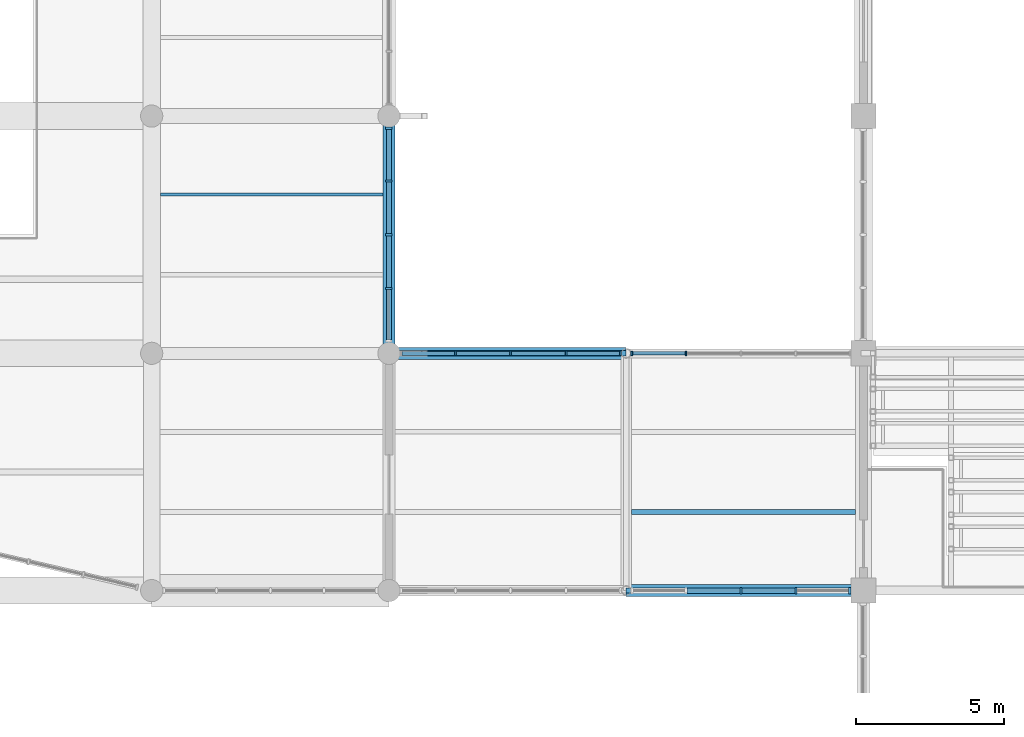
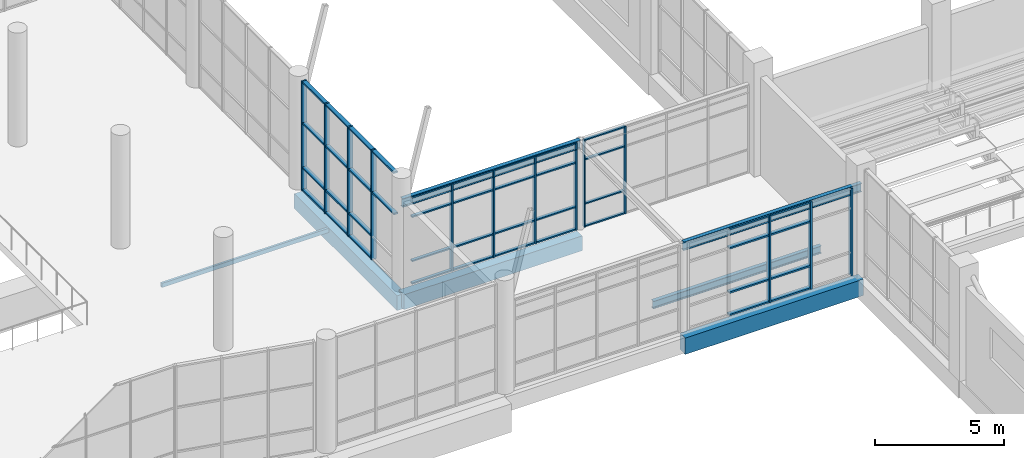
# One storey, part 28 of 122: 55 members, 7 beams, 4 elements without a shape of their own.
"""IFC4 building model written with IfcOpenShell, lengths in metres."""

from ifc_helpers import new_model, si_unit, direction, frame, origin, origin_2d, place, context, subcontext, project, spatial, rectangle, hollow_rectangle, i_section, extrude, material, material_profile, profile_set, type_object, element, aggregate, save


model = new_model("IFC4")

# Units and contexts
model_context = context("Model", 3, precision=1e-05, world=origin(), true_north=direction((0.0, 1.0)))
body_context = subcontext(model_context, "Body", "Model", "MODEL_VIEW")
ifc_project = project(units=[si_unit("LENGTHUNIT", "METRE"), si_unit("AREAUNIT", "SQUARE_METRE"), si_unit("VOLUMEUNIT", "CUBIC_METRE"), si_unit("PLANEANGLEUNIT", "RADIAN"), si_unit("MASSUNIT", "GRAM", prefix="KILO")], contexts=[model_context])

# Site, building, storey
site_placement = place(None, origin())
site = spatial("IfcSite", under=ifc_project, at=site_placement, CompositionType="ELEMENT")
building_placement = place(site_placement, origin())
building = spatial("IfcBuilding", under=site, at=building_placement, Name="Tenunan Teduh Sports Hall", CompositionType="ELEMENT")
storey_placement = place(building_placement, frame((0.0, 0.0, 5.39990234375)))
storey = spatial("IfcBuildingStorey", under=building, at=storey_placement, Name="L01", CompositionType="ELEMENT", Elevation=5.39990234375)

# Beams
ifc_material_1 = material(Name="Concrete C40/50", Category="concrete")
ifc_material_profile_1 = material_profile(ifc_material_1, rectangle(XDim=0.39990234375, YDim=0.699951171875, at=origin_2d()), Name="RCB 400x700")
ifc_profile_set_1 = profile_set([ifc_material_profile_1], Name="Concrete C40/50")
beam_type_1 = type_object("IfcBeamType", Name="BM-RC-400x700", PredefinedType="BEAM", material=ifc_profile_set_1)
for number, where, z_axis, x_axis, name in (
    (1, (106.0, 46.0, -0.60986328125), (1.0, 0.0, 0.0), (0.0, 1.0, 0.0), "BM-B-08-L01-1080"),
    (2, (106.0, 46.0, -0.7099609375), (0.0, 1.0, 0.0), (-1.0, 0.0, 0.0), "BM-B-08-L01-1253"),
):
    element("IfcBeam", number, at=place(storey_placement, frame(where, z_axis=z_axis, x_axis=x_axis)), inside=storey, type_object=beam_type_1, Name=name, PredefinedType="BEAM", context=body_context, shape_type="SweptSolid", body=[
        extrude(rectangle(XDim=0.39990234375, YDim=0.699951171875, at=origin_2d()), origin(), (0.0, 0.0, 1.0), 8.0),
    ])
ifc_material_2 = material(Name="Concrete C40/50", Category="concrete")
ifc_material_profile_2 = material_profile(ifc_material_2, rectangle(XDim=0.39990234375, YDim=0.780029296875, at=origin_2d()), Name="TB 400x780")
ifc_profile_set_2 = profile_set([ifc_material_profile_2], Name="Concrete C40/50")
beam_type_2 = type_object("IfcBeamType", Name="BM-TB-400x780", PredefinedType="T_BEAM", material=ifc_profile_set_2)
beam_1_placement = place(storey_placement, frame((114.0, 38.0, -0.64990234375), z_axis=(1.0, 0.0, 0.0), x_axis=(0.0, 1.0, 0.0)))
element("IfcBeam", 3, at=beam_1_placement, inside=storey, type_object=beam_type_2, Name="BM-TB-02-L01-1063", PredefinedType="T_BEAM", context=body_context, shape_type="SweptSolid", body=[
    extrude(rectangle(XDim=0.39990234375, YDim=0.780029296875, at=origin_2d()), origin(), (0.0, 0.0, 1.0), 8.0),
])

# Curtain wall, members
ifc_material_3 = material(Name="Anodised aluminium", Category="aluminium")
curtain_wall_type_1 = type_object("IfcCurtainWallType", Name="CW-UNIT-2", PredefinedType="NOTDEFINED", material=ifc_material_3)
curtain_wall_1_placement = place(storey_placement, origin())
curtain_wall_1 = element("IfcCurtainWall", 4, at=curtain_wall_1_placement, inside=storey, type_object=curtain_wall_type_1, Name="CW-CWM-150-L01-183", PredefinedType="NOTDEFINED")
ifc_material_4 = material(Name="Anodised aluminium", Category="aluminium")
ifc_material_profile_3 = material_profile(ifc_material_4, rectangle(XDim=0.06005859375, YDim=0.14990234375, at=origin_2d()), Name="CWM 60x150")
ifc_profile_set_3 = profile_set([ifc_material_profile_3], Name="Anodised aluminium")
member_type_1 = type_object("IfcMemberType", Name="CWM-150", PredefinedType="MULLION", material=ifc_profile_set_3)
member_1_placement = place(storey_placement, frame((114.19189453125, 46.0, 0.0), z_axis=(0.0, 0.0, 1.0), x_axis=(1.0, 0.0, 0.0)))
member_1 = element("IfcMember", 5, at=member_1_placement, type_object=member_type_1, Name="CW-02 mullion 1", PredefinedType="MULLION", context=body_context, shape_type="SweptSolid", body=[
    extrude(rectangle(XDim=0.06005859375, YDim=0.14990234375, at=origin_2d()), origin(), (0.0, 0.0, 1.0), 4.150146484375),
])
member_2_placement = place(storey_placement, frame((116.01513671875, 46.0, 0.0), z_axis=(0.0, 0.0, 1.0), x_axis=(1.0, 0.0, 0.0)))
member_2 = element("IfcMember", 6, at=member_2_placement, type_object=member_type_1, Name="CW-02 mullion 2", PredefinedType="MULLION", context=body_context, shape_type="SweptSolid", body=[
    extrude(rectangle(XDim=0.06005859375, YDim=0.14990234375, at=origin_2d()), origin(), (0.0, 0.0, 1.0), 4.150146484375),
])

curtain_wall_2_placement = place(storey_placement, origin())
curtain_wall_2 = element("IfcCurtainWall", 7, at=curtain_wall_2_placement, inside=storey, type_object=curtain_wall_type_1, Name="CW-CWM-175-L01-182", PredefinedType="NOTDEFINED")
ifc_material_5 = material(Name="Anodised aluminium", Category="aluminium")
ifc_material_profile_4 = material_profile(ifc_material_5, rectangle(XDim=0.06494140625, YDim=0.175048828125, at=origin_2d()), Name="CWM 65x175")
ifc_profile_set_4 = profile_set([ifc_material_profile_4], Name="Anodised aluminium")
member_type_2 = type_object("IfcMemberType", Name="CWM-175", PredefinedType="MULLION", material=ifc_profile_set_4)
member_3_placement = place(storey_placement, frame((108.24072265625, 46.0, 0.0), z_axis=(0.0, 0.0, 1.0), x_axis=(1.0, 0.0, 0.0)))
member_3 = element("IfcMember", 8, at=member_3_placement, type_object=member_type_2, Name="CW-02 mullion 2", PredefinedType="MULLION", context=body_context, shape_type="SweptSolid", body=[
    extrude(rectangle(XDim=0.06494140625, YDim=0.175048828125, at=origin_2d()), origin(), (0.0, 0.0, 1.0), 4.150146484375),
])
member_4_placement = place(storey_placement, frame((110.1064453125, 46.0, 0.0), z_axis=(0.0, 0.0, 1.0), x_axis=(1.0, 0.0, 0.0)))
member_4 = element("IfcMember", 9, at=member_4_placement, type_object=member_type_2, Name="CW-02 mullion 3", PredefinedType="MULLION", context=body_context, shape_type="SweptSolid", body=[
    extrude(rectangle(XDim=0.06494140625, YDim=0.175048828125, at=origin_2d()), origin(), (0.0, 0.0, 1.0), 4.150146484375),
])
member_5_placement = place(storey_placement, frame((111.97216796875, 46.0, 0.0), z_axis=(0.0, 0.0, 1.0), x_axis=(1.0, 0.0, 0.0)))
member_5 = element("IfcMember", 10, at=member_5_placement, type_object=member_type_2, Name="CW-02 mullion 4", PredefinedType="MULLION", context=body_context, shape_type="SweptSolid", body=[
    extrude(rectangle(XDim=0.06494140625, YDim=0.175048828125, at=origin_2d()), origin(), (0.0, 0.0, 1.0), 4.150146484375),
])
member_6_placement = place(storey_placement, frame((113.805419921875, 46.0, 0.0), z_axis=(0.0, 0.0, 1.0), x_axis=(1.0, 0.0, 0.0)))
member_6 = element("IfcMember", 11, at=member_6_placement, type_object=member_type_2, Name="CW-02 mullion 5", PredefinedType="MULLION", context=body_context, shape_type="SweptSolid", body=[
    extrude(rectangle(XDim=0.06494140625, YDim=0.175048828125, at=origin_2d()), origin(), (0.0, 0.0, 1.0), 4.150146484375),
])

ifc_material_6 = material(Name="Anodised aluminium", Category="aluminium")
curtain_wall_type_2 = type_object("IfcCurtainWallType", Name="CW-UNIT-1", PredefinedType="NOTDEFINED", material=ifc_material_6)
curtain_wall_3_placement = place(storey_placement, origin())
curtain_wall_3 = element("IfcCurtainWall", 12, at=curtain_wall_3_placement, inside=storey, type_object=curtain_wall_type_2, Name="CW-CWM-220-L01-173", PredefinedType="NOTDEFINED")
ifc_material_7 = material(Name="Anodised aluminium", Category="aluminium")
ifc_material_profile_5 = material_profile(ifc_material_7, rectangle(XDim=0.074951171875, YDim=0.219970703125, at=origin_2d()), Name="CWM 75x220")
ifc_profile_set_5 = profile_set([ifc_material_profile_5], Name="Anodised aluminium")
member_type_3 = type_object("IfcMemberType", Name="CWM-220", PredefinedType="MULLION", material=ifc_profile_set_5)
member_7_placement = place(storey_placement, frame((106.0, 48.1875, 0.0), z_axis=(0.0, 0.0, 1.0), x_axis=(0.0, 1.0, 0.0)))
member_7 = element("IfcMember", 13, at=member_7_placement, type_object=member_type_3, Name="CW-01 mullion 2", PredefinedType="MULLION", context=body_context, shape_type="SweptSolid", body=[
    extrude(rectangle(XDim=0.074951171875, YDim=0.219970703125, at=origin_2d()), origin(), (0.0, 0.0, 1.0), 5.2001953125),
])
member_8_placement = place(storey_placement, frame((106.0, 50.0, 0.0), z_axis=(0.0, 0.0, 1.0), x_axis=(0.0, 1.0, 0.0)))
member_8 = element("IfcMember", 14, at=member_8_placement, type_object=member_type_3, Name="CW-01 mullion 3", PredefinedType="MULLION", context=body_context, shape_type="SweptSolid", body=[
    extrude(rectangle(XDim=0.074951171875, YDim=0.219970703125, at=origin_2d()), origin(), (0.0, 0.0, 1.0), 5.2001953125),
])
member_9_placement = place(storey_placement, frame((106.0, 51.8125, 0.0), z_axis=(0.0, 0.0, 1.0), x_axis=(0.0, 1.0, 0.0)))
member_9 = element("IfcMember", 15, at=member_9_placement, type_object=member_type_3, Name="CW-01 mullion 4", PredefinedType="MULLION", context=body_context, shape_type="SweptSolid", body=[
    extrude(rectangle(XDim=0.074951171875, YDim=0.219970703125, at=origin_2d()), origin(), (0.0, 0.0, 1.0), 5.2001953125),
])
member_10_placement = place(storey_placement, frame((106.0, 53.58740234375, 0.0), z_axis=(0.0, 0.0, 1.0), x_axis=(0.0, 1.0, 0.0)))
member_10 = element("IfcMember", 16, at=member_10_placement, type_object=member_type_3, Name="CW-01 mullion 5", PredefinedType="MULLION", context=body_context, shape_type="SweptSolid", body=[
    extrude(rectangle(XDim=0.074951171875, YDim=0.219970703125, at=origin_2d()), origin(), (0.0, 0.0, 1.0), 5.2001953125),
])

curtain_wall_4_placement = place(storey_placement, origin())
curtain_wall_4 = element("IfcCurtainWall", 17, at=curtain_wall_4_placement, inside=storey, type_object=curtain_wall_type_1, Name="CW-CWM-220-L01-181", PredefinedType="NOTDEFINED")
member_11_placement = place(storey_placement, frame((117.868408203125, 38.0, 0.0), z_axis=(0.0, 0.0, 1.0), x_axis=(1.0, 0.0, 0.0)))
member_11 = element("IfcMember", 18, at=member_11_placement, type_object=member_type_3, Name="CW-02 mullion 3", PredefinedType="MULLION", context=body_context, shape_type="SweptSolid", body=[
    extrude(rectangle(XDim=0.074951171875, YDim=0.219970703125, at=origin_2d()), origin(), (0.0, 0.0, 1.0), 4.150146484375),
])
member_12_placement = place(storey_placement, frame((119.7216796875, 38.0, 0.0), z_axis=(0.0, 0.0, 1.0), x_axis=(1.0, 0.0, 0.0)))
member_12 = element("IfcMember", 19, at=member_12_placement, type_object=member_type_3, Name="CW-02 mullion 4", PredefinedType="MULLION", context=body_context, shape_type="SweptSolid", body=[
    extrude(rectangle(XDim=0.074951171875, YDim=0.219970703125, at=origin_2d()), origin(), (0.0, 0.0, 1.0), 4.150146484375),
])
member_13_placement = place(storey_placement, frame((121.53759765625, 38.0, 0.0), z_axis=(0.0, 0.0, 1.0), x_axis=(1.0, 0.0, 0.0)))
member_13 = element("IfcMember", 20, at=member_13_placement, type_object=member_type_3, Name="CW-02 mullion 5", PredefinedType="MULLION", context=body_context, shape_type="SweptSolid", body=[
    extrude(rectangle(XDim=0.074951171875, YDim=0.219970703125, at=origin_2d()), origin(), (0.0, 0.0, 1.0), 4.150146484375),
])

# Member
ifc_material_8 = material(Name="Anodised aluminium", Category="aluminium")
ifc_material_profile_6 = material_profile(ifc_material_8, rectangle(XDim=0.06005859375, YDim=0.1201171875, at=origin_2d()), Name="CWT 60x120")
ifc_profile_set_6 = profile_set([ifc_material_profile_6], Name="Anodised aluminium")
member_type_4 = type_object("IfcMemberType", Name="CWT-125", PredefinedType="USERDEFINED", material=ifc_profile_set_6)
member_14_placement = place(storey_placement, frame((114.221923828125, 46.0, 0.030029296875), z_axis=(1.0, 0.0, 0.0), x_axis=(0.0, 0.0, 1.0)))
member_14 = element("IfcMember", 21, at=member_14_placement, type_object=member_type_4, Name="CW-02 transom 1.1", ObjectType="TRANSOM", PredefinedType="USERDEFINED", context=body_context, shape_type="SweptSolid", body=[
    extrude(rectangle(XDim=0.06005859375, YDim=0.1201171875, at=origin_2d()), origin(), (0.0, 0.0, 1.0), 1.763427734375),
])

member_15_placement = place(storey_placement, frame((114.221923828125, 46.0, 1.10009765625), z_axis=(1.0, 0.0, 0.0), x_axis=(0.0, 0.0, 1.0)))
member_15 = element("IfcMember", 22, at=member_15_placement, type_object=member_type_4, Name="CW-02 transom 1.2", ObjectType="TRANSOM", PredefinedType="USERDEFINED", context=body_context, shape_type="SweptSolid", body=[
    extrude(rectangle(XDim=0.06005859375, YDim=0.1201171875, at=origin_2d()), origin(), (0.0, 0.0, 1.0), 1.763427734375),
])

member_16_placement = place(storey_placement, frame((114.221923828125, 46.0, 3.2001953125), z_axis=(1.0, 0.0, 0.0), x_axis=(0.0, 0.0, 1.0)))
member_16 = element("IfcMember", 23, at=member_16_placement, type_object=member_type_4, Name="CW-02 transom 1.3", ObjectType="TRANSOM", PredefinedType="USERDEFINED", context=body_context, shape_type="SweptSolid", body=[
    extrude(rectangle(XDim=0.06005859375, YDim=0.1201171875, at=origin_2d()), origin(), (0.0, 0.0, 1.0), 1.763427734375),
])

member_17_placement = place(storey_placement, frame((114.221923828125, 46.0, 4.1201171875), z_axis=(1.0, 0.0, 0.0), x_axis=(0.0, 0.0, 1.0)))
member_17 = element("IfcMember", 24, at=member_17_placement, type_object=member_type_4, Name="CW-02 transom 1.4", ObjectType="TRANSOM", PredefinedType="USERDEFINED", context=body_context, shape_type="SweptSolid", body=[
    extrude(rectangle(XDim=0.06005859375, YDim=0.1201171875, at=origin_2d()), origin(), (0.0, 0.0, 1.0), 1.763427734375),
])

aggregate(curtain_wall_1, [member_1, member_2, member_14, member_15, member_16, member_17])

ifc_material_9 = material(Name="Anodised aluminium", Category="aluminium")
ifc_material_profile_7 = material_profile(ifc_material_9, rectangle(XDim=0.06494140625, YDim=0.139892578125, at=origin_2d()), Name="CWT 65x140")
ifc_profile_set_7 = profile_set([ifc_material_profile_7], Name="Anodised aluminium")
member_type_5 = type_object("IfcMemberType", Name="CWT-150", PredefinedType="USERDEFINED", material=ifc_profile_set_7)
member_18_placement = place(storey_placement, frame((106.43994140625, 46.0, 0.03271484375), z_axis=(1.0, 0.0, 0.0), x_axis=(0.0, 0.0, 1.0)))
member_18 = element("IfcMember", 25, at=member_18_placement, type_object=member_type_5, Name="CW-02 transom 1.1", ObjectType="TRANSOM", PredefinedType="USERDEFINED", context=body_context, shape_type="SweptSolid", body=[
    extrude(rectangle(XDim=0.06494140625, YDim=0.139892578125, at=origin_2d()), origin(), (0.0, 0.0, 1.0), 1.768310546875),
])

member_19_placement = place(storey_placement, frame((106.43994140625, 46.0, 1.10009765625), z_axis=(1.0, 0.0, 0.0), x_axis=(0.0, 0.0, 1.0)))
member_19 = element("IfcMember", 26, at=member_19_placement, type_object=member_type_5, Name="CW-02 transom 1.2", ObjectType="TRANSOM", PredefinedType="USERDEFINED", context=body_context, shape_type="SweptSolid", body=[
    extrude(rectangle(XDim=0.06494140625, YDim=0.139892578125, at=origin_2d()), origin(), (0.0, 0.0, 1.0), 1.768310546875),
])

member_20_placement = place(storey_placement, frame((106.43994140625, 46.0, 3.2001953125), z_axis=(1.0, 0.0, 0.0), x_axis=(0.0, 0.0, 1.0)))
member_20 = element("IfcMember", 27, at=member_20_placement, type_object=member_type_5, Name="CW-02 transom 1.3", ObjectType="TRANSOM", PredefinedType="USERDEFINED", context=body_context, shape_type="SweptSolid", body=[
    extrude(rectangle(XDim=0.06494140625, YDim=0.139892578125, at=origin_2d()), origin(), (0.0, 0.0, 1.0), 1.768310546875),
])

member_21_placement = place(storey_placement, frame((106.43994140625, 46.0, 4.11767578125), z_axis=(1.0, 0.0, 0.0), x_axis=(0.0, 0.0, 1.0)))
member_21 = element("IfcMember", 28, at=member_21_placement, type_object=member_type_5, Name="CW-02 transom 1.4", ObjectType="TRANSOM", PredefinedType="USERDEFINED", context=body_context, shape_type="SweptSolid", body=[
    extrude(rectangle(XDim=0.06494140625, YDim=0.139892578125, at=origin_2d()), origin(), (0.0, 0.0, 1.0), 1.768310546875),
])

member_22_placement = place(storey_placement, frame((108.273193359375, 46.0, 0.03271484375), z_axis=(1.0, 0.0, 0.0), x_axis=(0.0, 0.0, 1.0)))
member_22 = element("IfcMember", 29, at=member_22_placement, type_object=member_type_5, Name="CW-02 transom 2.1", ObjectType="TRANSOM", PredefinedType="USERDEFINED", context=body_context, shape_type="SweptSolid", body=[
    extrude(rectangle(XDim=0.06494140625, YDim=0.139892578125, at=origin_2d()), origin(), (0.0, 0.0, 1.0), 1.80078125),
])

member_23_placement = place(storey_placement, frame((108.273193359375, 46.0, 1.10009765625), z_axis=(1.0, 0.0, 0.0), x_axis=(0.0, 0.0, 1.0)))
member_23 = element("IfcMember", 30, at=member_23_placement, type_object=member_type_5, Name="CW-02 transom 2.2", ObjectType="TRANSOM", PredefinedType="USERDEFINED", context=body_context, shape_type="SweptSolid", body=[
    extrude(rectangle(XDim=0.06494140625, YDim=0.139892578125, at=origin_2d()), origin(), (0.0, 0.0, 1.0), 1.80078125),
])

member_24_placement = place(storey_placement, frame((108.273193359375, 46.0, 3.2001953125), z_axis=(1.0, 0.0, 0.0), x_axis=(0.0, 0.0, 1.0)))
member_24 = element("IfcMember", 31, at=member_24_placement, type_object=member_type_5, Name="CW-02 transom 2.3", ObjectType="TRANSOM", PredefinedType="USERDEFINED", context=body_context, shape_type="SweptSolid", body=[
    extrude(rectangle(XDim=0.06494140625, YDim=0.139892578125, at=origin_2d()), origin(), (0.0, 0.0, 1.0), 1.80078125),
])

member_25_placement = place(storey_placement, frame((108.273193359375, 46.0, 4.11767578125), z_axis=(1.0, 0.0, 0.0), x_axis=(0.0, 0.0, 1.0)))
member_25 = element("IfcMember", 32, at=member_25_placement, type_object=member_type_5, Name="CW-02 transom 2.4", ObjectType="TRANSOM", PredefinedType="USERDEFINED", context=body_context, shape_type="SweptSolid", body=[
    extrude(rectangle(XDim=0.06494140625, YDim=0.139892578125, at=origin_2d()), origin(), (0.0, 0.0, 1.0), 1.80078125),
])

member_26_placement = place(storey_placement, frame((110.138916015625, 46.0, 0.03271484375), z_axis=(1.0, 0.0, 0.0), x_axis=(0.0, 0.0, 1.0)))
member_26 = element("IfcMember", 33, at=member_26_placement, type_object=member_type_5, Name="CW-02 transom 3.1", ObjectType="TRANSOM", PredefinedType="USERDEFINED", context=body_context, shape_type="SweptSolid", body=[
    extrude(rectangle(XDim=0.06494140625, YDim=0.139892578125, at=origin_2d()), origin(), (0.0, 0.0, 1.0), 1.80078125),
])

member_27_placement = place(storey_placement, frame((110.138916015625, 46.0, 1.10009765625), z_axis=(1.0, 0.0, 0.0), x_axis=(0.0, 0.0, 1.0)))
member_27 = element("IfcMember", 34, at=member_27_placement, type_object=member_type_5, Name="CW-02 transom 3.2", ObjectType="TRANSOM", PredefinedType="USERDEFINED", context=body_context, shape_type="SweptSolid", body=[
    extrude(rectangle(XDim=0.06494140625, YDim=0.139892578125, at=origin_2d()), origin(), (0.0, 0.0, 1.0), 1.80078125),
])

member_28_placement = place(storey_placement, frame((110.138916015625, 46.0, 3.2001953125), z_axis=(1.0, 0.0, 0.0), x_axis=(0.0, 0.0, 1.0)))
member_28 = element("IfcMember", 35, at=member_28_placement, type_object=member_type_5, Name="CW-02 transom 3.3", ObjectType="TRANSOM", PredefinedType="USERDEFINED", context=body_context, shape_type="SweptSolid", body=[
    extrude(rectangle(XDim=0.06494140625, YDim=0.139892578125, at=origin_2d()), origin(), (0.0, 0.0, 1.0), 1.80078125),
])

member_29_placement = place(storey_placement, frame((110.138916015625, 46.0, 4.11767578125), z_axis=(1.0, 0.0, 0.0), x_axis=(0.0, 0.0, 1.0)))
member_29 = element("IfcMember", 36, at=member_29_placement, type_object=member_type_5, Name="CW-02 transom 3.4", ObjectType="TRANSOM", PredefinedType="USERDEFINED", context=body_context, shape_type="SweptSolid", body=[
    extrude(rectangle(XDim=0.06494140625, YDim=0.139892578125, at=origin_2d()), origin(), (0.0, 0.0, 1.0), 1.80078125),
])

member_30_placement = place(storey_placement, frame((112.004638671875, 46.0, 0.03271484375), z_axis=(1.0, 0.0, 0.0), x_axis=(0.0, 0.0, 1.0)))
member_30 = element("IfcMember", 37, at=member_30_placement, type_object=member_type_5, Name="CW-02 transom 4.1", ObjectType="TRANSOM", PredefinedType="USERDEFINED", context=body_context, shape_type="SweptSolid", body=[
    extrude(rectangle(XDim=0.06494140625, YDim=0.139892578125, at=origin_2d()), origin(), (0.0, 0.0, 1.0), 1.768310546875),
])

member_31_placement = place(storey_placement, frame((112.004638671875, 46.0, 1.10009765625), z_axis=(1.0, 0.0, 0.0), x_axis=(0.0, 0.0, 1.0)))
member_31 = element("IfcMember", 38, at=member_31_placement, type_object=member_type_5, Name="CW-02 transom 4.2", ObjectType="TRANSOM", PredefinedType="USERDEFINED", context=body_context, shape_type="SweptSolid", body=[
    extrude(rectangle(XDim=0.06494140625, YDim=0.139892578125, at=origin_2d()), origin(), (0.0, 0.0, 1.0), 1.768310546875),
])

member_32_placement = place(storey_placement, frame((112.004638671875, 46.0, 3.2001953125), z_axis=(1.0, 0.0, 0.0), x_axis=(0.0, 0.0, 1.0)))
member_32 = element("IfcMember", 39, at=member_32_placement, type_object=member_type_5, Name="CW-02 transom 4.3", ObjectType="TRANSOM", PredefinedType="USERDEFINED", context=body_context, shape_type="SweptSolid", body=[
    extrude(rectangle(XDim=0.06494140625, YDim=0.139892578125, at=origin_2d()), origin(), (0.0, 0.0, 1.0), 1.768310546875),
])

member_33_placement = place(storey_placement, frame((112.004638671875, 46.0, 4.11767578125), z_axis=(1.0, 0.0, 0.0), x_axis=(0.0, 0.0, 1.0)))
member_33 = element("IfcMember", 40, at=member_33_placement, type_object=member_type_5, Name="CW-02 transom 4.4", ObjectType="TRANSOM", PredefinedType="USERDEFINED", context=body_context, shape_type="SweptSolid", body=[
    extrude(rectangle(XDim=0.06494140625, YDim=0.139892578125, at=origin_2d()), origin(), (0.0, 0.0, 1.0), 1.768310546875),
])

aggregate(curtain_wall_2, [member_3, member_4, member_5, member_6, member_18, member_19, member_20, member_21, member_22, member_23, member_24, member_25, member_26, member_27, member_28, member_29, member_30, member_31, member_32, member_33])

ifc_material_10 = material(Name="Anodised aluminium", Category="aluminium")
ifc_material_profile_8 = material_profile(ifc_material_10, rectangle(XDim=0.074951171875, YDim=0.179931640625, at=origin_2d()), Name="CWT 75x180")
ifc_profile_set_8 = profile_set([ifc_material_profile_8], Name="Anodised aluminium")
member_type_6 = type_object("IfcMemberType", Name="CWT-180", PredefinedType="USERDEFINED", material=ifc_profile_set_8)
member_34_placement = place(storey_placement, frame((106.0, 46.449951171875, 3.2001953125), z_axis=(0.0, 1.0, 0.0), x_axis=(0.0, 0.0, 1.0)))
member_34 = element("IfcMember", 41, at=member_34_placement, type_object=member_type_6, Name="CW-01 transom 1.3", ObjectType="TRANSOM", PredefinedType="USERDEFINED", context=body_context, shape_type="SweptSolid", body=[
    extrude(rectangle(XDim=0.074951171875, YDim=0.179931640625, at=origin_2d()), origin(), (0.0, 0.0, 1.0), 1.699951171875),
])

member_35_placement = place(storey_placement, frame((106.0, 46.449951171875, 5.16259765625), z_axis=(0.0, 1.0, 0.0), x_axis=(0.0, 0.0, 1.0)))
member_35 = element("IfcMember", 42, at=member_35_placement, type_object=member_type_6, Name="CW-01 transom 1.4", ObjectType="TRANSOM", PredefinedType="USERDEFINED", context=body_context, shape_type="SweptSolid", body=[
    extrude(rectangle(XDim=0.074951171875, YDim=0.179931640625, at=origin_2d()), origin(), (0.0, 0.0, 1.0), 1.699951171875),
])

member_36_placement = place(storey_placement, frame((106.0, 48.22509765625, 0.03759765625), z_axis=(0.0, 1.0, 0.0), x_axis=(0.0, 0.0, 1.0)))
member_36 = element("IfcMember", 43, at=member_36_placement, type_object=member_type_6, Name="CW-01 transom 2.1", ObjectType="TRANSOM", PredefinedType="USERDEFINED", context=body_context, shape_type="SweptSolid", body=[
    extrude(rectangle(XDim=0.074951171875, YDim=0.179931640625, at=origin_2d()), origin(), (0.0, 0.0, 1.0), 1.7373046875),
])

member_37_placement = place(storey_placement, frame((106.0, 48.22509765625, 1.10009765625), z_axis=(0.0, 1.0, 0.0), x_axis=(0.0, 0.0, 1.0)))
member_37 = element("IfcMember", 44, at=member_37_placement, type_object=member_type_6, Name="CW-01 transom 2.2", ObjectType="TRANSOM", PredefinedType="USERDEFINED", context=body_context, shape_type="SweptSolid", body=[
    extrude(rectangle(XDim=0.074951171875, YDim=0.179931640625, at=origin_2d()), origin(), (0.0, 0.0, 1.0), 1.7373046875),
])

member_38_placement = place(storey_placement, frame((106.0, 48.22509765625, 3.2001953125), z_axis=(0.0, 1.0, 0.0), x_axis=(0.0, 0.0, 1.0)))
member_38 = element("IfcMember", 45, at=member_38_placement, type_object=member_type_6, Name="CW-01 transom 2.3", ObjectType="TRANSOM", PredefinedType="USERDEFINED", context=body_context, shape_type="SweptSolid", body=[
    extrude(rectangle(XDim=0.074951171875, YDim=0.179931640625, at=origin_2d()), origin(), (0.0, 0.0, 1.0), 1.7373046875),
])

member_39_placement = place(storey_placement, frame((106.0, 48.22509765625, 5.16259765625), z_axis=(0.0, 1.0, 0.0), x_axis=(0.0, 0.0, 1.0)))
member_39 = element("IfcMember", 46, at=member_39_placement, type_object=member_type_6, Name="CW-01 transom 2.4", ObjectType="TRANSOM", PredefinedType="USERDEFINED", context=body_context, shape_type="SweptSolid", body=[
    extrude(rectangle(XDim=0.074951171875, YDim=0.179931640625, at=origin_2d()), origin(), (0.0, 0.0, 1.0), 1.7373046875),
])

member_40_placement = place(storey_placement, frame((106.0, 50.03759765625, 0.03759765625), z_axis=(0.0, 1.0, 0.0), x_axis=(0.0, 0.0, 1.0)))
member_40 = element("IfcMember", 47, at=member_40_placement, type_object=member_type_6, Name="CW-01 transom 3.1", ObjectType="TRANSOM", PredefinedType="USERDEFINED", context=body_context, shape_type="SweptSolid", body=[
    extrude(rectangle(XDim=0.074951171875, YDim=0.179931640625, at=origin_2d()), origin(), (0.0, 0.0, 1.0), 1.7373046875),
])

member_41_placement = place(storey_placement, frame((106.0, 50.03759765625, 1.10009765625), z_axis=(0.0, 1.0, 0.0), x_axis=(0.0, 0.0, 1.0)))
member_41 = element("IfcMember", 48, at=member_41_placement, type_object=member_type_6, Name="CW-01 transom 3.2", ObjectType="TRANSOM", PredefinedType="USERDEFINED", context=body_context, shape_type="SweptSolid", body=[
    extrude(rectangle(XDim=0.074951171875, YDim=0.179931640625, at=origin_2d()), origin(), (0.0, 0.0, 1.0), 1.7373046875),
])

member_42_placement = place(storey_placement, frame((106.0, 50.03759765625, 3.2001953125), z_axis=(0.0, 1.0, 0.0), x_axis=(0.0, 0.0, 1.0)))
member_42 = element("IfcMember", 49, at=member_42_placement, type_object=member_type_6, Name="CW-01 transom 3.3", ObjectType="TRANSOM", PredefinedType="USERDEFINED", context=body_context, shape_type="SweptSolid", body=[
    extrude(rectangle(XDim=0.074951171875, YDim=0.179931640625, at=origin_2d()), origin(), (0.0, 0.0, 1.0), 1.7373046875),
])

member_43_placement = place(storey_placement, frame((106.0, 50.03759765625, 5.16259765625), z_axis=(0.0, 1.0, 0.0), x_axis=(0.0, 0.0, 1.0)))
member_43 = element("IfcMember", 50, at=member_43_placement, type_object=member_type_6, Name="CW-01 transom 3.4", ObjectType="TRANSOM", PredefinedType="USERDEFINED", context=body_context, shape_type="SweptSolid", body=[
    extrude(rectangle(XDim=0.074951171875, YDim=0.179931640625, at=origin_2d()), origin(), (0.0, 0.0, 1.0), 1.7373046875),
])

member_44_placement = place(storey_placement, frame((106.0, 51.85009765625, 0.03759765625), z_axis=(0.0, 1.0, 0.0), x_axis=(0.0, 0.0, 1.0)))
member_44 = element("IfcMember", 51, at=member_44_placement, type_object=member_type_6, Name="CW-01 transom 4.1", ObjectType="TRANSOM", PredefinedType="USERDEFINED", context=body_context, shape_type="SweptSolid", body=[
    extrude(rectangle(XDim=0.074951171875, YDim=0.179931640625, at=origin_2d()), origin(), (0.0, 0.0, 1.0), 1.699951171875),
])

member_45_placement = place(storey_placement, frame((106.0, 51.85009765625, 1.10009765625), z_axis=(0.0, 1.0, 0.0), x_axis=(0.0, 0.0, 1.0)))
member_45 = element("IfcMember", 52, at=member_45_placement, type_object=member_type_6, Name="CW-01 transom 4.2", ObjectType="TRANSOM", PredefinedType="USERDEFINED", context=body_context, shape_type="SweptSolid", body=[
    extrude(rectangle(XDim=0.074951171875, YDim=0.179931640625, at=origin_2d()), origin(), (0.0, 0.0, 1.0), 1.699951171875),
])

member_46_placement = place(storey_placement, frame((106.0, 51.85009765625, 3.2001953125), z_axis=(0.0, 1.0, 0.0), x_axis=(0.0, 0.0, 1.0)))
member_46 = element("IfcMember", 53, at=member_46_placement, type_object=member_type_6, Name="CW-01 transom 4.3", ObjectType="TRANSOM", PredefinedType="USERDEFINED", context=body_context, shape_type="SweptSolid", body=[
    extrude(rectangle(XDim=0.074951171875, YDim=0.179931640625, at=origin_2d()), origin(), (0.0, 0.0, 1.0), 1.699951171875),
])

member_47_placement = place(storey_placement, frame((106.0, 51.85009765625, 5.16259765625), z_axis=(0.0, 1.0, 0.0), x_axis=(0.0, 0.0, 1.0)))
member_47 = element("IfcMember", 54, at=member_47_placement, type_object=member_type_6, Name="CW-01 transom 4.4", ObjectType="TRANSOM", PredefinedType="USERDEFINED", context=body_context, shape_type="SweptSolid", body=[
    extrude(rectangle(XDim=0.074951171875, YDim=0.179931640625, at=origin_2d()), origin(), (0.0, 0.0, 1.0), 1.699951171875),
])

aggregate(curtain_wall_3, [member_7, member_8, member_9, member_10, member_34, member_35, member_36, member_37, member_38, member_39, member_40, member_41, member_42, member_43, member_44, member_45, member_46, member_47])

member_48_placement = place(storey_placement, frame((116.052734375, 38.0, 0.03759765625), z_axis=(1.0, 0.0, 0.0), x_axis=(0.0, 0.0, 1.0)))
member_48 = element("IfcMember", 55, at=member_48_placement, type_object=member_type_6, Name="CW-02 transom 2.1", ObjectType="TRANSOM", PredefinedType="USERDEFINED", context=body_context, shape_type="SweptSolid", body=[
    extrude(rectangle(XDim=0.074951171875, YDim=0.179931640625, at=origin_2d()), origin(), (0.0, 0.0, 1.0), 1.7783203125),
])

member_49_placement = place(storey_placement, frame((116.052734375, 38.0, 1.10009765625), z_axis=(1.0, 0.0, 0.0), x_axis=(0.0, 0.0, 1.0)))
member_49 = element("IfcMember", 56, at=member_49_placement, type_object=member_type_6, Name="CW-02 transom 2.2", ObjectType="TRANSOM", PredefinedType="USERDEFINED", context=body_context, shape_type="SweptSolid", body=[
    extrude(rectangle(XDim=0.074951171875, YDim=0.179931640625, at=origin_2d()), origin(), (0.0, 0.0, 1.0), 1.7783203125),
])

member_50_placement = place(storey_placement, frame((116.052734375, 38.0, 3.2001953125), z_axis=(1.0, 0.0, 0.0), x_axis=(0.0, 0.0, 1.0)))
member_50 = element("IfcMember", 57, at=member_50_placement, type_object=member_type_6, Name="CW-02 transom 2.3", ObjectType="TRANSOM", PredefinedType="USERDEFINED", context=body_context, shape_type="SweptSolid", body=[
    extrude(rectangle(XDim=0.074951171875, YDim=0.179931640625, at=origin_2d()), origin(), (0.0, 0.0, 1.0), 1.7783203125),
])

member_51_placement = place(storey_placement, frame((116.052734375, 38.0, 4.112548828125), z_axis=(1.0, 0.0, 0.0), x_axis=(0.0, 0.0, 1.0)))
member_51 = element("IfcMember", 58, at=member_51_placement, type_object=member_type_6, Name="CW-02 transom 2.4", ObjectType="TRANSOM", PredefinedType="USERDEFINED", context=body_context, shape_type="SweptSolid", body=[
    extrude(rectangle(XDim=0.074951171875, YDim=0.179931640625, at=origin_2d()), origin(), (0.0, 0.0, 1.0), 1.7783203125),
])

member_52_placement = place(storey_placement, frame((117.906005859375, 38.0, 0.03759765625), z_axis=(1.0, 0.0, 0.0), x_axis=(0.0, 0.0, 1.0)))
member_52 = element("IfcMember", 59, at=member_52_placement, type_object=member_type_6, Name="CW-02 transom 3.1", ObjectType="TRANSOM", PredefinedType="USERDEFINED", context=body_context, shape_type="SweptSolid", body=[
    extrude(rectangle(XDim=0.074951171875, YDim=0.179931640625, at=origin_2d()), origin(), (0.0, 0.0, 1.0), 1.7783203125),
])

member_53_placement = place(storey_placement, frame((117.906005859375, 38.0, 1.10009765625), z_axis=(1.0, 0.0, 0.0), x_axis=(0.0, 0.0, 1.0)))
member_53 = element("IfcMember", 60, at=member_53_placement, type_object=member_type_6, Name="CW-02 transom 3.2", ObjectType="TRANSOM", PredefinedType="USERDEFINED", context=body_context, shape_type="SweptSolid", body=[
    extrude(rectangle(XDim=0.074951171875, YDim=0.179931640625, at=origin_2d()), origin(), (0.0, 0.0, 1.0), 1.7783203125),
])

member_54_placement = place(storey_placement, frame((117.906005859375, 38.0, 3.2001953125), z_axis=(1.0, 0.0, 0.0), x_axis=(0.0, 0.0, 1.0)))
member_54 = element("IfcMember", 61, at=member_54_placement, type_object=member_type_6, Name="CW-02 transom 3.3", ObjectType="TRANSOM", PredefinedType="USERDEFINED", context=body_context, shape_type="SweptSolid", body=[
    extrude(rectangle(XDim=0.074951171875, YDim=0.179931640625, at=origin_2d()), origin(), (0.0, 0.0, 1.0), 1.7783203125),
])

member_55_placement = place(storey_placement, frame((117.906005859375, 38.0, 4.112548828125), z_axis=(1.0, 0.0, 0.0), x_axis=(0.0, 0.0, 1.0)))
member_55 = element("IfcMember", 62, at=member_55_placement, type_object=member_type_6, Name="CW-02 transom 3.4", ObjectType="TRANSOM", PredefinedType="USERDEFINED", context=body_context, shape_type="SweptSolid", body=[
    extrude(rectangle(XDim=0.074951171875, YDim=0.179931640625, at=origin_2d()), origin(), (0.0, 0.0, 1.0), 1.7783203125),
])

aggregate(curtain_wall_4, [member_11, member_12, member_13, member_48, member_49, member_50, member_51, member_52, member_53, member_54, member_55])

# Beams
ifc_material_11 = material(Name="Steel S355", Category="steel")
ifc_material_profile_9 = material_profile(ifc_material_11, i_section(OverallWidth=0.169921875, OverallDepth=0.360107421875, WebThickness=0.008056640625, FlangeThickness=0.0126953125, FilletRadius=0.01806640625, at=origin_2d()), Name="IPE 360")
ifc_profile_set_9 = profile_set([ifc_material_profile_9], Name="Steel S355")
beam_type_3 = type_object("IfcBeamType", Name="JST-IPE360", PredefinedType="JOIST", material=ifc_profile_set_9)
beam_2_placement = place(storey_placement, frame((114.175048828125, 40.64990234375, -0.43994140625), z_axis=(1.0, 0.0, 0.0), x_axis=(0.0, 1.0, 0.0)))
element("IfcBeam", 63, at=beam_2_placement, inside=storey, type_object=beam_type_3, Name="BM-J-05-L01-1400", PredefinedType="JOIST", context=body_context, shape_type="SweptSolid", body=[
    extrude(i_section(OverallWidth=0.169921875, OverallDepth=0.360107421875, WebThickness=0.008056640625, FlangeThickness=0.0126953125, FilletRadius=0.01806640625, at=origin_2d()), origin(), (0.0, 0.0, 1.0), 7.550048828125),
])
ifc_material_12 = material(Name="Steel S355", Category="steel")
ifc_material_profile_10 = material_profile(ifc_material_12, hollow_rectangle(XDim=0.10009765625, YDim=0.199951171875, WallThickness=0.008056640625, at=origin_2d()), Name="RHS 200x100x8.0")
ifc_profile_set_10 = profile_set([ifc_material_profile_10], Name="Steel S355")
beam_type_4 = type_object("IfcBeamType", Name="RBM-RHS200", PredefinedType="JOIST", material=ifc_profile_set_10)
beam_3_placement = place(storey_placement, frame((98.300048828125, 51.35009765625, -0.4599609375), z_axis=(1.0, 0.0, 0.0), x_axis=(0.0, 1.0, 0.0)))
element("IfcBeam", 64, at=beam_3_placement, inside=storey, type_object=beam_type_4, Name="Perimeter Ring Beam BM-RB-05-L01-1385", PredefinedType="JOIST", context=body_context, shape_type="SweptSolid", body=[
    extrude(hollow_rectangle(XDim=0.10009765625, YDim=0.199951171875, WallThickness=0.008056640625, at=origin_2d()), origin(), (0.0, 0.0, 1.0), 7.5),
])
ifc_material_13 = material(Name="Steel S355", Category="steel")
ifc_material_profile_11 = material_profile(ifc_material_13, i_section(OverallWidth=0.177978515625, OverallDepth=0.406494140625, WebThickness=0.0078125, FlangeThickness=0.0126953125, FilletRadius=0.01025390625, at=origin_2d()), Name="UKB 406x178x60")
ifc_profile_set_11 = profile_set([ifc_material_profile_11], Name="Steel S355")
beam_type_5 = type_object("IfcBeamType", Name="SBM-UKB406", PredefinedType="BEAM", material=ifc_profile_set_11)
for number, where, z_axis, x_axis, name in (
    (65, (114.0, 38.0, 4.01708984375), (1.0, 0.0, 0.0), (0.0, 1.0, 0.0), "BM-SB-03-L01-0621"),
    (66, (106.0, 46.0, 4.01708984375), (1.0, 0.0, 0.0), (0.0, 1.0, 0.0), "BM-SB-03-L01-0622"),
):
    element("IfcBeam", number, at=place(storey_placement, frame(where, z_axis=z_axis, x_axis=x_axis)), inside=storey, type_object=beam_type_5, Name=name, PredefinedType="BEAM", context=body_context, shape_type="SweptSolid", body=[
        extrude(i_section(OverallWidth=0.177978515625, OverallDepth=0.406494140625, WebThickness=0.0078125, FlangeThickness=0.0126953125, FilletRadius=0.01025390625, at=origin_2d()), origin(), (0.0, 0.0, 1.0), 8.0),
    ])

save(model, "model.ifc")
